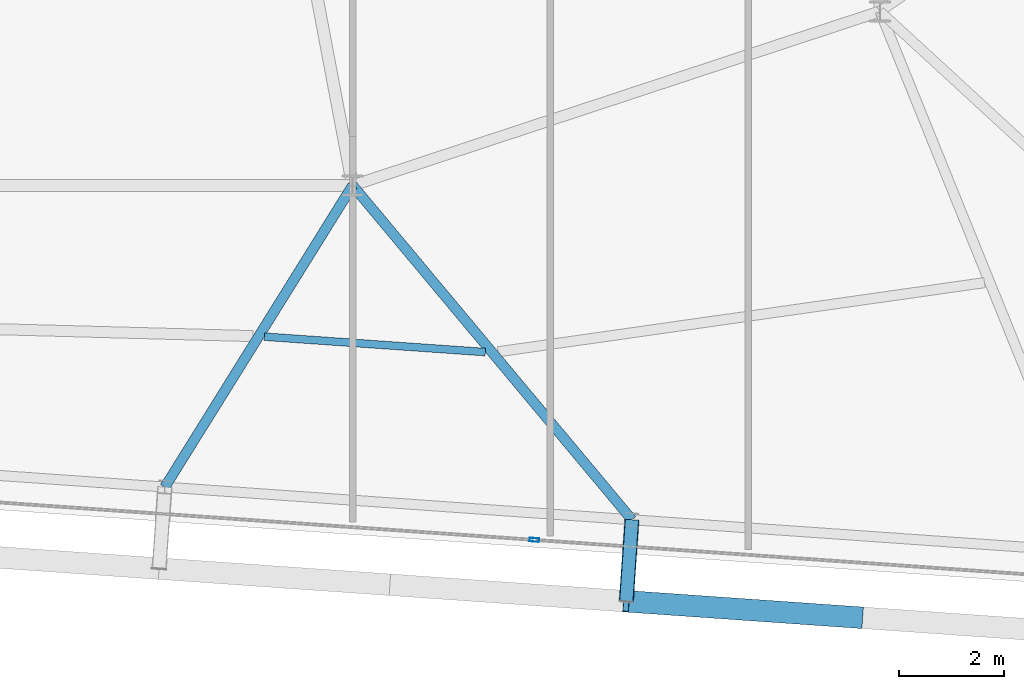
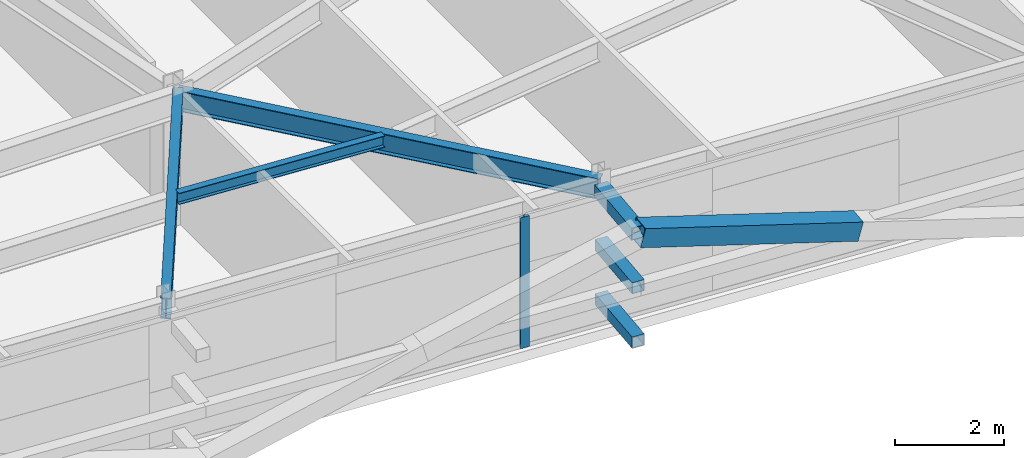
# One storey, part 13 of 39: 5 members, 3 beams, 1 element without a shape of its own.
"""IFC4 building model written with IfcOpenShell, lengths in metres."""

from ifc_helpers import new_model, si_unit, direction, frame, origin, origin_2d, place, context, subcontext, project, spatial, hollow_rectangle, i_section, extrude, source, transform, mapped, material, layer, layer_set, material_profile, profile_set, type_object, element, aggregate, save


model = new_model("IFC4")

# Units and contexts
model_context = context("Model", 3, precision=1e-05, world=origin(), true_north=direction((0.0, 1.0)))
body_context = subcontext(model_context, "Body", "Model", "MODEL_VIEW")
ifc_project = project(units=[si_unit("LENGTHUNIT", "METRE"), si_unit("AREAUNIT", "SQUARE_METRE"), si_unit("VOLUMEUNIT", "CUBIC_METRE"), si_unit("PLANEANGLEUNIT", "RADIAN"), si_unit("MASSUNIT", "GRAM", prefix="KILO")], contexts=[model_context])

# Site, building, storey
site_placement = place(None, origin())
site = spatial("IfcSite", under=ifc_project, at=site_placement, CompositionType="ELEMENT")
building_placement = place(site_placement, origin())
building = spatial("IfcBuilding", under=site, at=building_placement, Name="Taldren Reach Tower", CompositionType="ELEMENT")
storey_placement = place(building_placement, frame((0.0, 0.0, 155.050048828125)))
storey = spatial("IfcBuildingStorey", under=building, at=storey_placement, Name="L47", CompositionType="ELEMENT", Elevation=155.050048828125)

# Members
ifc_material_1 = material(Name="Steel Gr 450 (C450L0)", Category="steel")
ifc_material_profile_1 = material_profile(ifc_material_1, hollow_rectangle(XDim=0.27490234375, YDim=0.27490234375, WallThickness=0.00927734375, at=origin_2d()), Name="275x275x9.3SHS")
ifc_profile_set_1 = profile_set([ifc_material_profile_1], Name="Steel Gr 450 (C450L0)")
member_type_1 = type_object("IfcMemberType", Name="MB-TIE273", PredefinedType="STRUT", material=ifc_profile_set_1)
shared_shape_1 = source(origin(), body_context, "Body", "SweptSolid", [
    extrude(hollow_rectangle(XDim=0.27490234375, YDim=0.27490234375, WallThickness=0.00927734375, at=origin_2d()), origin(), (0.0, 0.0, 1.0), 1.5498046875),
])
member_1_placement = place(storey_placement, frame((47.297119140625, 2.860595703125, 2.64990234375), z_axis=(-0.069780535098, -0.997562367434, 0.0), x_axis=(0.997562367434, -0.069780535098, 0.0)))
element("IfcMember", 1, at=member_1_placement, inside=storey, type_object=member_type_1, Name="Exoskeleton diaphragm tie strut B3-S5 L47", PredefinedType="STRUT", context=body_context, shape_type="MappedRepresentation", body=[
    mapped(shared_shape_1, transform((0.0, 0.0, 0.0), scale=1.0)),
])
ifc_material_2 = material(Name="Steel Gr 350 (C350L0)", Category="steel")
ifc_material_profile_2 = material_profile(ifc_material_2, hollow_rectangle(XDim=0.25, YDim=0.25, WallThickness=0.010009765625, at=origin_2d()), Name="250x250x10.0SHS")
ifc_profile_set_2 = profile_set([ifc_material_profile_2], Name="Steel Gr 350 (C350L0)")
member_type_2 = type_object("IfcMemberType", Name="MB-POST250", PredefinedType="POST", material=ifc_profile_set_2)
shared_shape_2 = source(origin(), body_context, "Body", "SweptSolid", [
    extrude(hollow_rectangle(XDim=0.25, YDim=0.25, WallThickness=0.010009765625, at=origin_2d()), origin(), (0.0, 0.0, 1.0), 1.5498046875),
])
for number, where, z_axis, x_axis, name in (
    (2, (47.297119140625, 2.860595703125, 0.219970703125), (-0.069780535098, -0.997562367434, 0.0), (0.997562367434, -0.069780535098, 0.0), "Exoskeleton base diaphragm tie strut B3-S5 L47"),
    (3, (47.297119140625, 2.860595703125, 1.43505859375), (-0.069780535098, -0.997562367434, 0.0), (0.997562367434, -0.069780535098, 0.0), "Exoskeleton mid-tier diaphragm tie B3-S5 L47"),
):
    element("IfcMember", number, at=place(storey_placement, frame(where, z_axis=z_axis, x_axis=x_axis)), inside=storey, type_object=member_type_2, Name=name, PredefinedType="POST", context=body_context, shape_type="MappedRepresentation", body=[
        mapped(shared_shape_2, transform((0.0, 0.0, 0.0), scale=1.0)),
    ])

# Beams
ifc_material_3 = material(Name="Steel Gr 350 (350PLUS)", Category="steel")
ifc_material_profile_3 = material_profile(ifc_material_3, i_section(OverallWidth=0.19091796875, OverallDepth=0.4599609375, WebThickness=0.010009765625, FlangeThickness=0.01611328125, at=origin_2d()), Name="460UB82.1")
ifc_profile_set_3 = profile_set([ifc_material_profile_3], Name="Steel Gr 350 (350PLUS)")
beam_type_1 = type_object("IfcBeamType", Name="BM-UB460A", PredefinedType="BEAM", material=ifc_profile_set_3)
shared_shape_3 = source(origin(), body_context, "Body", "SweptSolid", [
    extrude(i_section(OverallWidth=0.19091796875, OverallDepth=0.4599609375, WebThickness=0.010009765625, FlangeThickness=0.01611328125, at=origin_2d()), origin(), (0.0, 0.0, 1.0), 6.73779296875),
])
beam_1_placement = place(storey_placement, frame((42.0, 9.199951171875, 2.699951171875), z_axis=(-0.528552048024, -0.848900896765, 0.0), x_axis=(0.848900896765, -0.528552048024, 0.0)))
element("IfcBeam", 4, at=beam_1_placement, inside=storey, type_object=beam_type_1, Name="Primary floor girder B3-S4 L47", PredefinedType="BEAM", context=body_context, shape_type="MappedRepresentation", body=[
    mapped(shared_shape_3, transform((0.0, 0.0, 0.0), scale=1.0)),
])
shared_shape_4 = source(origin(), body_context, "Body", "SweptSolid", [
    extrude(i_section(OverallWidth=0.19091796875, OverallDepth=0.4599609375, WebThickness=0.010009765625, FlangeThickness=0.01611328125, at=origin_2d()), origin(), (0.0, 0.0, 1.0), 8.26123046875),
])
beam_2_placement = place(storey_placement, frame((42.0, 9.199951171875, 2.699951171875), z_axis=(0.64120703686, -0.767367927322, 0.0), x_axis=(0.767367927322, 0.64120703686, 0.0)))
element("IfcBeam", 5, at=beam_2_placement, inside=storey, type_object=beam_type_1, Name="Primary floor girder B3-S5 L47", PredefinedType="BEAM", context=body_context, shape_type="MappedRepresentation", body=[
    mapped(shared_shape_4, transform((0.0, 0.0, 0.0), scale=1.0)),
])
ifc_material_4 = material(Name="Steel Gr 300 (300PLUS, 300 MPa)", Category="steel")
ifc_material_profile_4 = material_profile(ifc_material_4, i_section(OverallWidth=0.14599609375, OverallDepth=0.256103515625, WebThickness=0.00634765625, FlangeThickness=0.010986328125, at=origin_2d()), Name="250UB37.3")
ifc_profile_set_4 = profile_set([ifc_material_profile_4], Name="Steel Gr 300 (300PLUS, 300 MPa)")
beam_type_2 = type_object("IfcBeamType", Name="JS-UB250", PredefinedType="JOIST", material=ifc_profile_set_4)
shared_shape_5 = source(origin(), body_context, "Body", "SweptSolid", [
    extrude(i_section(OverallWidth=0.14599609375, OverallDepth=0.256103515625, WebThickness=0.00634765625, FlangeThickness=0.010986328125, at=origin_2d()), origin(), (0.0, 0.0, 1.0), 4.199462890625),
])
beam_3_placement = place(storey_placement, frame((40.3271484375, 6.33251953125, 2.802001953125), z_axis=(0.99756354117, -0.069763753681, 0.0), x_axis=(0.069763753681, 0.99756354117, 0.0)))
element("IfcBeam", 6, at=beam_3_placement, inside=storey, type_object=beam_type_2, Name="Secondary floor joist B3 J4 L47", PredefinedType="JOIST", context=body_context, shape_type="MappedRepresentation", body=[
    mapped(shared_shape_5, transform((0.0, 0.0, 0.0), scale=1.0)),
])

# Member
ifc_material_profile_5 = material_profile(ifc_material_1, hollow_rectangle(XDim=0.409912109375, YDim=0.409912109375, WallThickness=0.01611328125, at=origin_2d()), Name="410x410x16.0SHS")
ifc_profile_set_5 = profile_set([ifc_material_profile_5], Name="Steel Gr 450 (C450L0)")
member_type_3 = type_object("IfcMemberType", Name="MB-EXO406", PredefinedType="BRACE", material=ifc_profile_set_5)
shared_shape_6 = source(origin(), body_context, "Body", "SweptSolid", [
    extrude(hollow_rectangle(XDim=0.409912109375, YDim=0.409912109375, WallThickness=0.01611328125, at=origin_2d()), origin(), (0.0, 0.0, 1.0), 4.603271484375),
])
member_2_placement = place(storey_placement, frame((51.6181640625, 1.004638671875, 1.43505859375), z_axis=(-0.962195820062, 0.067303852699, 0.263911718699), x_axis=(-0.06977769246, -0.997562566276, 0.0)))
element("IfcMember", 7, at=member_2_placement, inside=storey, type_object=member_type_3, Name="Exoskeleton Diagrid Brace B3-S5 L47", PredefinedType="BRACE", context=body_context, shape_type="MappedRepresentation", body=[
    mapped(shared_shape_6, transform((0.0, 0.0, 0.0), scale=1.0)),
])

# Curtain wall, member
ifc_material_5 = material(Name="Aluminium and Low-E Glass Unitised System", Category="aluminium")
ifc_layer = layer(ifc_material_5, 0.159912109375)
ifc_layer_set = layer_set([ifc_layer], Name="Aluminium and Low-E Glass Unitised System")
curtain_wall_type = type_object("IfcCurtainWallType", Name="CW-SYS-4", PredefinedType="NOTDEFINED", material=ifc_layer_set)
curtain_wall_placement = place(storey_placement, origin())
curtain_wall = element("IfcCurtainWall", 8, at=curtain_wall_placement, inside=storey, type_object=curtain_wall_type, Name="Unitised curtain wall CW-L47-S", PredefinedType="NOTDEFINED")
ifc_material_6 = material(Name="Anodised Aluminium 6063-T6", Category="aluminium")
ifc_material_profile_6 = material_profile(ifc_material_6, hollow_rectangle(XDim=0.070068359375, YDim=0.179931640625, WallThickness=0.00390625, at=origin_2d()), Name="ALU-180x70x4RHS")
ifc_profile_set_6 = profile_set([ifc_material_profile_6], Name="Anodised Aluminium 6063-T6")
member_type_4 = type_object("IfcMemberType", Name="CW-MUL-180", PredefinedType="MULLION", material=ifc_profile_set_6)
shared_shape_7 = source(origin(), body_context, "Body", "SweptSolid", [
    extrude(hollow_rectangle(XDim=0.070068359375, YDim=0.179931640625, WallThickness=0.00390625, at=origin_2d()), origin(), (0.0, 0.0, 1.0), 2.929931640625),
])
member_3_placement = place(storey_placement, frame((45.44580078125, 2.478759765625, 0.0), z_axis=(0.0, 0.0, 1.0), x_axis=(0.06975651593, 0.99756404731, 0.0)))
member_3 = element("IfcMember", 9, at=member_3_placement, type_object=member_type_4, Name="CW-4 mullion 4", PredefinedType="MULLION", context=body_context, shape_type="MappedRepresentation", body=[
    mapped(shared_shape_7, transform((0.0, 0.0, 0.0), scale=1.0)),
])
aggregate(curtain_wall, [member_3])

save(model, "model.ifc")
